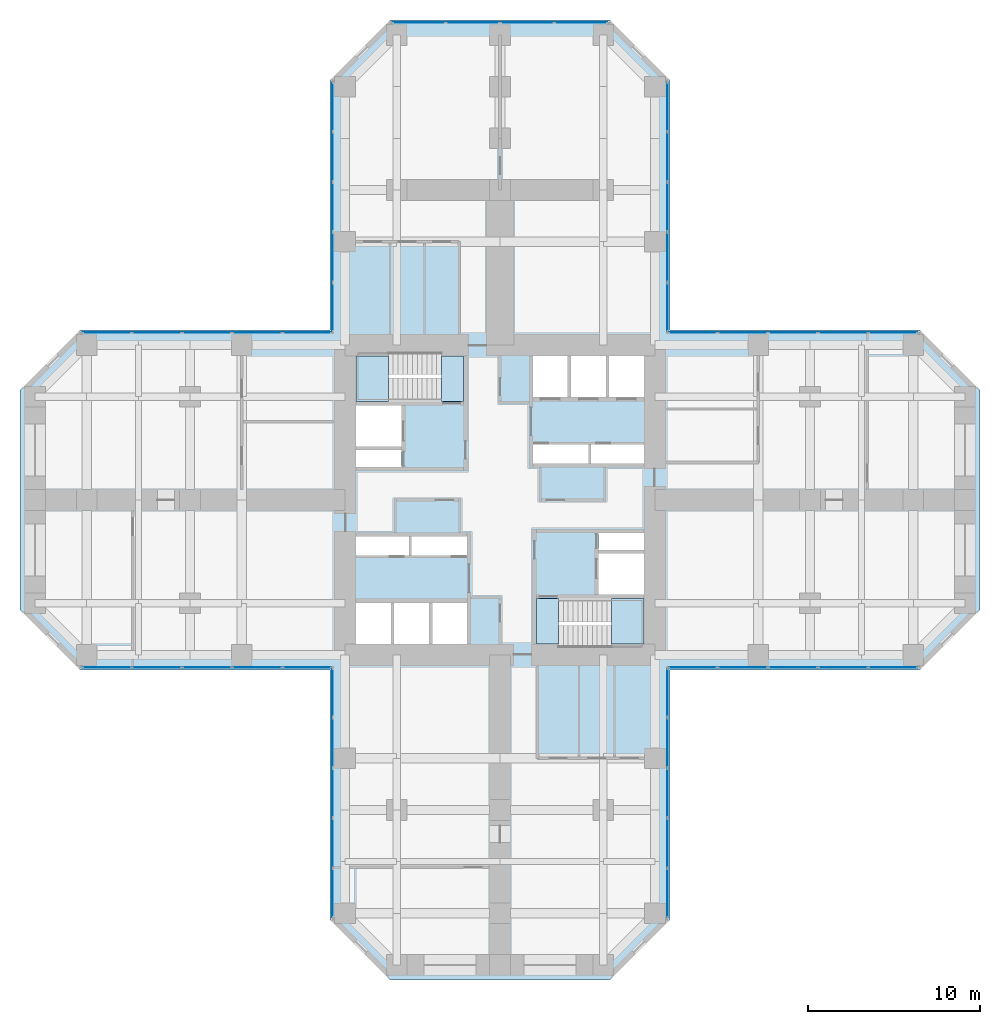
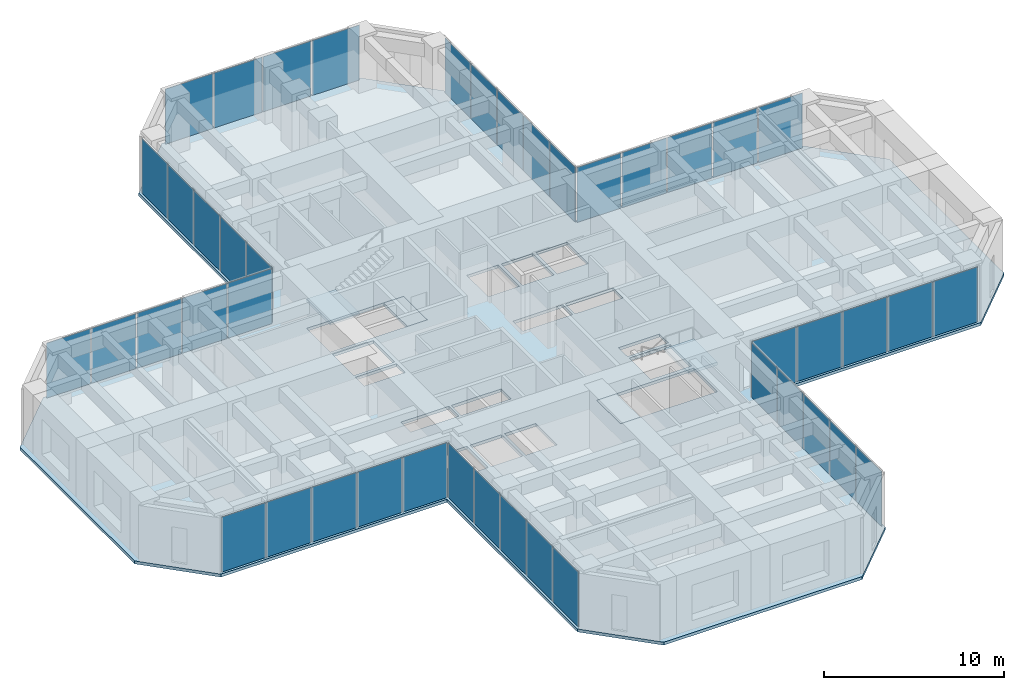
# One storey, part 7 of 12: 44 plates, 5 slabs, 11 elements without a shape of their own.
"""IFC4 building model written with IfcOpenShell, lengths in metres."""

from ifc_helpers import new_model, si_unit, direction, frame, origin, origin_2d, place, context, subcontext, project, spatial, polyline, rectangle, outline, extrude, material, layer, layer_set, type_object, element, aggregate, save


model = new_model("IFC4")

# Units and contexts
model_context = context("Model", 3, precision=1e-05, world=origin(), true_north=direction((0.0, 1.0)))
body_context = subcontext(model_context, "Body", "Model", "MODEL_VIEW")
ifc_project = project(units=[si_unit("LENGTHUNIT", "METRE"), si_unit("AREAUNIT", "SQUARE_METRE"), si_unit("VOLUMEUNIT", "CUBIC_METRE"), si_unit("PLANEANGLEUNIT", "RADIAN"), si_unit("MASSUNIT", "GRAM", prefix="KILO")], contexts=[model_context])

# Site, building, storey
site_placement = place(None, origin())
site = spatial("IfcSite", under=ifc_project, at=site_placement, CompositionType="ELEMENT")
building_placement = place(site_placement, origin())
building = spatial("IfcBuilding", under=site, at=building_placement, Name="Torre Cruceta", CompositionType="ELEMENT")
storey_placement = place(building_placement, frame((0.0, 0.0, 63.5)))
storey = spatial("IfcBuildingStorey", under=building, at=storey_placement, Name="L15", CompositionType="ELEMENT", Elevation=63.5)

# Curtain wall, plate
ifc_material_1 = material(Name="Aluminium unitised curtain wall", Category="aluminium")
curtain_wall_type = type_object("IfcCurtainWallType", Name="CURTAIN WALL CW-A OFFICE LOW RISE", PredefinedType="USERDEFINED", material=ifc_material_1)
curtain_wall_1_placement = place(storey_placement, origin())
curtain_wall_1 = element("IfcCurtainWall", 1, at=curtain_wall_1_placement, inside=storey, type_object=curtain_wall_type, Name="CW-A L15 E side 00", ObjectType="UNITISED", PredefinedType="USERDEFINED")
ifc_material_2 = material(Name="Laminated insulating glass unit, diagonal frit 50 %", Category="glass")
ifc_material_3 = material(Name="Laminated insulating glass unit, diagonal frit 50 %", Category="glass")
ifc_layer_1 = layer(ifc_material_3, 0.033935546875)
ifc_layer_set_1 = layer_set([ifc_layer_1], Name="Laminated insulating glass unit, diagonal frit 50 %")
plate_type_1 = type_object("IfcPlateType", Name="CW-A OPERABLE VENT PANEL 34", PredefinedType="CURTAIN_PANEL", material=ifc_layer_set_1)
plate_1_placement = place(storey_placement, frame((17.009033203125, -9.719970703125, 0.010009765625), z_axis=(0.0, 0.0, 1.0), x_axis=(1.0, 0.0, 0.0)))
plate_1 = element("IfcPlate", 2, at=plate_1_placement, type_object=plate_type_1, material=ifc_material_2, Name="CW-A vent 3", PredefinedType="CURTAIN_PANEL", context=body_context, shape_type="SweptSolid", body=[
    extrude(rectangle(XDim=2.8505859375, YDim=0.033935546875, at=origin_2d()), origin(), (0.0, 0.0, 1.0), 3.72509765625),
])

curtain_wall_2_placement = place(storey_placement, origin())
curtain_wall_2 = element("IfcCurtainWall", 3, at=curtain_wall_2_placement, inside=storey, type_object=curtain_wall_type, Name="CW-A L15 E side 04", ObjectType="UNITISED", PredefinedType="USERDEFINED")
plate_2_placement = place(storey_placement, frame((17.009033203125, 9.719970703125, 0.010009765625), z_axis=(0.0, 0.0, 1.0), x_axis=(-1.0, 0.0, 0.0)))
plate_2 = element("IfcPlate", 4, at=plate_2_placement, type_object=plate_type_1, material=ifc_material_2, Name="CW-A vent 3", PredefinedType="CURTAIN_PANEL", context=body_context, shape_type="SweptSolid", body=[
    extrude(rectangle(XDim=2.8505859375, YDim=0.033935546875, at=origin_2d()), origin(), (0.0, 0.0, 1.0), 3.72509765625),
])

curtain_wall_3_placement = place(storey_placement, origin())
curtain_wall_3 = element("IfcCurtainWall", 5, at=curtain_wall_3_placement, inside=storey, type_object=curtain_wall_type, Name="CW-A L15 N side 05", ObjectType="UNITISED", PredefinedType="USERDEFINED")
plate_3_placement = place(storey_placement, frame((9.719970703125, 17.009033203125, 0.010009765625), z_axis=(0.0, 0.0, 1.0), x_axis=(0.0, 1.0, 0.0)))
plate_3 = element("IfcPlate", 6, at=plate_3_placement, type_object=plate_type_1, material=ifc_material_2, Name="CW-A vent 3", PredefinedType="CURTAIN_PANEL", context=body_context, shape_type="SweptSolid", body=[
    extrude(rectangle(XDim=2.8505859375, YDim=0.033935546875, at=origin_2d()), origin(), (0.0, 0.0, 1.0), 3.72509765625),
])

curtain_wall_4_placement = place(storey_placement, origin())
curtain_wall_4 = element("IfcCurtainWall", 7, at=curtain_wall_4_placement, inside=storey, type_object=curtain_wall_type, Name="CW-A L15 N tip 07", ObjectType="UNITISED", PredefinedType="USERDEFINED")
plate_4_placement = place(storey_placement, frame((-1.574462890625, 27.719970703125, 0.010009765625), z_axis=(0.0, 0.0, 1.0), x_axis=(-1.0, 0.0, 0.0)))
plate_4 = element("IfcPlate", 8, at=plate_4_placement, type_object=plate_type_1, material=ifc_material_2, Name="CW-A vent 3", PredefinedType="CURTAIN_PANEL", context=body_context, shape_type="SweptSolid", body=[
    extrude(rectangle(XDim=3.084228515625, YDim=0.033935546875, at=origin_2d()), origin(), (0.0, 0.0, 1.0), 3.72509765625),
])

curtain_wall_5_placement = place(storey_placement, origin())
curtain_wall_5 = element("IfcCurtainWall", 9, at=curtain_wall_5_placement, inside=storey, type_object=curtain_wall_type, Name="CW-A L15 N side 09", ObjectType="UNITISED", PredefinedType="USERDEFINED")
plate_5_placement = place(storey_placement, frame((-9.719970703125, 17.009033203125, 0.010009765625), z_axis=(0.0, 0.0, 1.0), x_axis=(0.0, -1.0, 0.0)))
plate_5 = element("IfcPlate", 10, at=plate_5_placement, type_object=plate_type_1, material=ifc_material_2, Name="CW-A vent 3", PredefinedType="CURTAIN_PANEL", context=body_context, shape_type="SweptSolid", body=[
    extrude(rectangle(XDim=2.8505859375, YDim=0.033935546875, at=origin_2d()), origin(), (0.0, 0.0, 1.0), 3.72509765625),
])

curtain_wall_6_placement = place(storey_placement, origin())
curtain_wall_6 = element("IfcCurtainWall", 11, at=curtain_wall_6_placement, inside=storey, type_object=curtain_wall_type, Name="CW-A L15 W side 10", ObjectType="UNITISED", PredefinedType="USERDEFINED")
plate_6_placement = place(storey_placement, frame((-17.009033203125, 9.719970703125, 0.010009765625), z_axis=(0.0, 0.0, 1.0), x_axis=(-1.0, 0.0, 0.0)))
plate_6 = element("IfcPlate", 12, at=plate_6_placement, type_object=plate_type_1, material=ifc_material_2, Name="CW-A vent 3", PredefinedType="CURTAIN_PANEL", context=body_context, shape_type="SweptSolid", body=[
    extrude(rectangle(XDim=2.8505859375, YDim=0.033935546875, at=origin_2d()), origin(), (0.0, 0.0, 1.0), 3.72509765625),
])

curtain_wall_7_placement = place(storey_placement, origin())
curtain_wall_7 = element("IfcCurtainWall", 13, at=curtain_wall_7_placement, inside=storey, type_object=curtain_wall_type, Name="CW-A L15 W side 14", ObjectType="UNITISED", PredefinedType="USERDEFINED")
plate_7_placement = place(storey_placement, frame((-17.009033203125, -9.719970703125, 0.010009765625), z_axis=(0.0, 0.0, 1.0), x_axis=(1.0, 0.0, 0.0)))
plate_7 = element("IfcPlate", 14, at=plate_7_placement, type_object=plate_type_1, material=ifc_material_2, Name="CW-A vent 3", PredefinedType="CURTAIN_PANEL", context=body_context, shape_type="SweptSolid", body=[
    extrude(rectangle(XDim=2.8505859375, YDim=0.033935546875, at=origin_2d()), origin(), (0.0, 0.0, 1.0), 3.72509765625),
])

curtain_wall_8_placement = place(storey_placement, origin())
curtain_wall_8 = element("IfcCurtainWall", 15, at=curtain_wall_8_placement, inside=storey, type_object=curtain_wall_type, Name="CW-A L15 S side 15", ObjectType="UNITISED", PredefinedType="USERDEFINED")
plate_8_placement = place(storey_placement, frame((-9.719970703125, -17.009033203125, 0.010009765625), z_axis=(0.0, 0.0, 1.0), x_axis=(0.0, -1.0, 0.0)))
plate_8 = element("IfcPlate", 16, at=plate_8_placement, type_object=plate_type_1, material=ifc_material_2, Name="CW-A vent 3", PredefinedType="CURTAIN_PANEL", context=body_context, shape_type="SweptSolid", body=[
    extrude(rectangle(XDim=2.8505859375, YDim=0.033935546875, at=origin_2d()), origin(), (0.0, 0.0, 1.0), 3.72509765625),
])

curtain_wall_9_placement = place(storey_placement, origin())
curtain_wall_9 = element("IfcCurtainWall", 17, at=curtain_wall_9_placement, inside=storey, type_object=curtain_wall_type, Name="CW-A L15 S side 19", ObjectType="UNITISED", PredefinedType="USERDEFINED")
plate_9_placement = place(storey_placement, frame((9.719970703125, -17.009033203125, 0.010009765625), z_axis=(0.0, 0.0, 1.0), x_axis=(0.0, 1.0, 0.0)))
plate_9 = element("IfcPlate", 18, at=plate_9_placement, type_object=plate_type_1, material=ifc_material_2, Name="CW-A vent 3", PredefinedType="CURTAIN_PANEL", context=body_context, shape_type="SweptSolid", body=[
    extrude(rectangle(XDim=2.8505859375, YDim=0.033935546875, at=origin_2d()), origin(), (0.0, 0.0, 1.0), 3.72509765625),
])

# Plate
ifc_material_4 = material(Name="Laminated insulating glass unit, diagonal frit 50 %", Category="glass")
ifc_layer_2 = layer(ifc_material_4, 0.033935546875)
ifc_layer_set_2 = layer_set([ifc_layer_2], Name="Laminated insulating glass unit, diagonal frit 50 %")
plate_type_2 = type_object("IfcPlateType", Name="CW-A PANEL 34", PredefinedType="CURTAIN_PANEL", material=ifc_layer_set_2)
plate_10_placement = place(storey_placement, frame((11.194091796875, -9.719970703125, 0.010009765625), z_axis=(0.0, 0.0, 1.0), x_axis=(1.0, 0.0, 0.0)))
plate_10 = element("IfcPlate", 19, at=plate_10_placement, type_object=plate_type_2, material=ifc_material_2, Name="CW-A panel 1", PredefinedType="CURTAIN_PANEL", context=body_context, shape_type="SweptSolid", body=[
    extrude(rectangle(XDim=2.818115234375, YDim=0.033935546875, at=origin_2d()), origin(), (0.0, 0.0, 1.0), 3.72509765625),
])

plate_11_placement = place(storey_placement, frame((14.093505859375, -9.719970703125, 0.010009765625), z_axis=(0.0, 0.0, 1.0), x_axis=(1.0, 0.0, 0.0)))
plate_11 = element("IfcPlate", 20, at=plate_11_placement, type_object=plate_type_2, material=ifc_material_2, Name="CW-A panel 2", PredefinedType="CURTAIN_PANEL", context=body_context, shape_type="SweptSolid", body=[
    extrude(rectangle(XDim=2.8505859375, YDim=0.033935546875, at=origin_2d()), origin(), (0.0, 0.0, 1.0), 3.72509765625),
])

ifc_material_5 = material(Name="Laminated insulating glass unit, low-iron clear", Category="glass")
plate_12_placement = place(storey_placement, frame((19.9248046875, -9.719970703125, 0.010009765625), z_axis=(0.0, 0.0, 1.0), x_axis=(1.0, 0.0, 0.0)))
plate_12 = element("IfcPlate", 21, at=plate_12_placement, type_object=plate_type_2, material=ifc_material_5, Name="CW-A panel 4", PredefinedType="CURTAIN_PANEL", context=body_context, shape_type="SweptSolid", body=[
    extrude(rectangle(XDim=2.8505859375, YDim=0.033935546875, at=origin_2d()), origin(), (0.0, 0.0, 1.0), 3.72509765625),
])

plate_13_placement = place(storey_placement, frame((22.82421875, -9.719970703125, 0.010009765625), z_axis=(0.0, 0.0, 1.0), x_axis=(1.0, 0.0, 0.0)))
plate_13 = element("IfcPlate", 22, at=plate_13_placement, type_object=plate_type_2, material=ifc_material_5, Name="CW-A panel 5", PredefinedType="CURTAIN_PANEL", context=body_context, shape_type="SweptSolid", body=[
    extrude(rectangle(XDim=2.818115234375, YDim=0.033935546875, at=origin_2d()), origin(), (0.0, 0.0, 1.0), 3.72509765625),
])

aggregate(curtain_wall_1, [plate_10, plate_11, plate_1, plate_12, plate_13])

plate_14_placement = place(storey_placement, frame((22.82421875, 9.719970703125, 0.010009765625), z_axis=(0.0, 0.0, 1.0), x_axis=(-1.0, 0.0, 0.0)))
plate_14 = element("IfcPlate", 23, at=plate_14_placement, type_object=plate_type_2, material=ifc_material_2, Name="CW-A panel 1", PredefinedType="CURTAIN_PANEL", context=body_context, shape_type="SweptSolid", body=[
    extrude(rectangle(XDim=2.818115234375, YDim=0.033935546875, at=origin_2d()), origin(), (0.0, 0.0, 1.0), 3.72509765625),
])

plate_15_placement = place(storey_placement, frame((19.9248046875, 9.719970703125, 0.010009765625), z_axis=(0.0, 0.0, 1.0), x_axis=(-1.0, 0.0, 0.0)))
plate_15 = element("IfcPlate", 24, at=plate_15_placement, type_object=plate_type_2, material=ifc_material_2, Name="CW-A panel 2", PredefinedType="CURTAIN_PANEL", context=body_context, shape_type="SweptSolid", body=[
    extrude(rectangle(XDim=2.8505859375, YDim=0.033935546875, at=origin_2d()), origin(), (0.0, 0.0, 1.0), 3.72509765625),
])

plate_16_placement = place(storey_placement, frame((14.093505859375, 9.719970703125, 0.010009765625), z_axis=(0.0, 0.0, 1.0), x_axis=(-1.0, 0.0, 0.0)))
plate_16 = element("IfcPlate", 25, at=plate_16_placement, type_object=plate_type_2, material=ifc_material_5, Name="CW-A panel 4", PredefinedType="CURTAIN_PANEL", context=body_context, shape_type="SweptSolid", body=[
    extrude(rectangle(XDim=2.8505859375, YDim=0.033935546875, at=origin_2d()), origin(), (0.0, 0.0, 1.0), 3.72509765625),
])

plate_17_placement = place(storey_placement, frame((11.194091796875, 9.719970703125, 0.010009765625), z_axis=(0.0, 0.0, 1.0), x_axis=(-1.0, 0.0, 0.0)))
plate_17 = element("IfcPlate", 26, at=plate_17_placement, type_object=plate_type_2, material=ifc_material_5, Name="CW-A panel 5", PredefinedType="CURTAIN_PANEL", context=body_context, shape_type="SweptSolid", body=[
    extrude(rectangle(XDim=2.818115234375, YDim=0.033935546875, at=origin_2d()), origin(), (0.0, 0.0, 1.0), 3.72509765625),
])

aggregate(curtain_wall_2, [plate_14, plate_15, plate_2, plate_16, plate_17])

plate_18_placement = place(storey_placement, frame((9.719970703125, 11.194091796875, 0.010009765625), z_axis=(0.0, 0.0, 1.0), x_axis=(0.0, 1.0, 0.0)))
plate_18 = element("IfcPlate", 27, at=plate_18_placement, type_object=plate_type_2, material=ifc_material_2, Name="CW-A panel 1", PredefinedType="CURTAIN_PANEL", context=body_context, shape_type="SweptSolid", body=[
    extrude(rectangle(XDim=2.818115234375, YDim=0.033935546875, at=origin_2d()), origin(), (0.0, 0.0, 1.0), 3.72509765625),
])

plate_19_placement = place(storey_placement, frame((9.719970703125, 14.093505859375, 0.010009765625), z_axis=(0.0, 0.0, 1.0), x_axis=(0.0, 1.0, 0.0)))
plate_19 = element("IfcPlate", 28, at=plate_19_placement, type_object=plate_type_2, material=ifc_material_2, Name="CW-A panel 2", PredefinedType="CURTAIN_PANEL", context=body_context, shape_type="SweptSolid", body=[
    extrude(rectangle(XDim=2.8505859375, YDim=0.033935546875, at=origin_2d()), origin(), (0.0, 0.0, 1.0), 3.72509765625),
])

plate_20_placement = place(storey_placement, frame((9.719970703125, 19.9248046875, 0.010009765625), z_axis=(0.0, 0.0, 1.0), x_axis=(0.0, 1.0, 0.0)))
plate_20 = element("IfcPlate", 29, at=plate_20_placement, type_object=plate_type_2, material=ifc_material_5, Name="CW-A panel 4", PredefinedType="CURTAIN_PANEL", context=body_context, shape_type="SweptSolid", body=[
    extrude(rectangle(XDim=2.8505859375, YDim=0.033935546875, at=origin_2d()), origin(), (0.0, 0.0, 1.0), 3.72509765625),
])

plate_21_placement = place(storey_placement, frame((9.719970703125, 22.82421875, 0.010009765625), z_axis=(0.0, 0.0, 1.0), x_axis=(0.0, 1.0, 0.0)))
plate_21 = element("IfcPlate", 30, at=plate_21_placement, type_object=plate_type_2, material=ifc_material_5, Name="CW-A panel 5", PredefinedType="CURTAIN_PANEL", context=body_context, shape_type="SweptSolid", body=[
    extrude(rectangle(XDim=2.818115234375, YDim=0.033935546875, at=origin_2d()), origin(), (0.0, 0.0, 1.0), 3.72509765625),
])

aggregate(curtain_wall_3, [plate_18, plate_19, plate_3, plate_20, plate_21])

plate_22_placement = place(storey_placement, frame((4.70751953125, 27.719970703125, 0.010009765625), z_axis=(0.0, 0.0, 1.0), x_axis=(-1.0, 0.0, 0.0)))
plate_22 = element("IfcPlate", 31, at=plate_22_placement, type_object=plate_type_2, material=ifc_material_2, Name="CW-A panel 1", PredefinedType="CURTAIN_PANEL", context=body_context, shape_type="SweptSolid", body=[
    extrude(rectangle(XDim=3.051513671875, YDim=0.033935546875, at=origin_2d()), origin(), (0.0, 0.0, 1.0), 3.72509765625),
])

plate_23_placement = place(storey_placement, frame((1.574462890625, 27.719970703125, 0.010009765625), z_axis=(0.0, 0.0, 1.0), x_axis=(-1.0, 0.0, 0.0)))
plate_23 = element("IfcPlate", 32, at=plate_23_placement, type_object=plate_type_2, material=ifc_material_2, Name="CW-A panel 2", PredefinedType="CURTAIN_PANEL", context=body_context, shape_type="SweptSolid", body=[
    extrude(rectangle(XDim=3.084228515625, YDim=0.033935546875, at=origin_2d()), origin(), (0.0, 0.0, 1.0), 3.72509765625),
])

plate_24_placement = place(storey_placement, frame((-4.70751953125, 27.719970703125, 0.010009765625), z_axis=(0.0, 0.0, 1.0), x_axis=(-1.0, 0.0, 0.0)))
plate_24 = element("IfcPlate", 33, at=plate_24_placement, type_object=plate_type_2, material=ifc_material_5, Name="CW-A panel 4", PredefinedType="CURTAIN_PANEL", context=body_context, shape_type="SweptSolid", body=[
    extrude(rectangle(XDim=3.051513671875, YDim=0.033935546875, at=origin_2d()), origin(), (0.0, 0.0, 1.0), 3.72509765625),
])

aggregate(curtain_wall_4, [plate_22, plate_23, plate_4, plate_24])

plate_25_placement = place(storey_placement, frame((-9.719970703125, 22.82421875, 0.010009765625), z_axis=(0.0, 0.0, 1.0), x_axis=(0.0, -1.0, 0.0)))
plate_25 = element("IfcPlate", 34, at=plate_25_placement, type_object=plate_type_2, material=ifc_material_2, Name="CW-A panel 1", PredefinedType="CURTAIN_PANEL", context=body_context, shape_type="SweptSolid", body=[
    extrude(rectangle(XDim=2.818115234375, YDim=0.033935546875, at=origin_2d()), origin(), (0.0, 0.0, 1.0), 3.72509765625),
])

plate_26_placement = place(storey_placement, frame((-9.719970703125, 19.9248046875, 0.010009765625), z_axis=(0.0, 0.0, 1.0), x_axis=(0.0, -1.0, 0.0)))
plate_26 = element("IfcPlate", 35, at=plate_26_placement, type_object=plate_type_2, material=ifc_material_2, Name="CW-A panel 2", PredefinedType="CURTAIN_PANEL", context=body_context, shape_type="SweptSolid", body=[
    extrude(rectangle(XDim=2.8505859375, YDim=0.033935546875, at=origin_2d()), origin(), (0.0, 0.0, 1.0), 3.72509765625),
])

plate_27_placement = place(storey_placement, frame((-9.719970703125, 14.093505859375, 0.010009765625), z_axis=(0.0, 0.0, 1.0), x_axis=(0.0, -1.0, 0.0)))
plate_27 = element("IfcPlate", 36, at=plate_27_placement, type_object=plate_type_2, material=ifc_material_5, Name="CW-A panel 4", PredefinedType="CURTAIN_PANEL", context=body_context, shape_type="SweptSolid", body=[
    extrude(rectangle(XDim=2.8505859375, YDim=0.033935546875, at=origin_2d()), origin(), (0.0, 0.0, 1.0), 3.72509765625),
])

plate_28_placement = place(storey_placement, frame((-9.719970703125, 11.194091796875, 0.010009765625), z_axis=(0.0, 0.0, 1.0), x_axis=(0.0, -1.0, 0.0)))
plate_28 = element("IfcPlate", 37, at=plate_28_placement, type_object=plate_type_2, material=ifc_material_5, Name="CW-A panel 5", PredefinedType="CURTAIN_PANEL", context=body_context, shape_type="SweptSolid", body=[
    extrude(rectangle(XDim=2.818115234375, YDim=0.033935546875, at=origin_2d()), origin(), (0.0, 0.0, 1.0), 3.72509765625),
])

aggregate(curtain_wall_5, [plate_25, plate_26, plate_5, plate_27, plate_28])

plate_29_placement = place(storey_placement, frame((-11.194091796875, 9.719970703125, 0.010009765625), z_axis=(0.0, 0.0, 1.0), x_axis=(-1.0, 0.0, 0.0)))
plate_29 = element("IfcPlate", 38, at=plate_29_placement, type_object=plate_type_2, material=ifc_material_2, Name="CW-A panel 1", PredefinedType="CURTAIN_PANEL", context=body_context, shape_type="SweptSolid", body=[
    extrude(rectangle(XDim=2.818115234375, YDim=0.033935546875, at=origin_2d()), origin(), (0.0, 0.0, 1.0), 3.72509765625),
])

plate_30_placement = place(storey_placement, frame((-14.093505859375, 9.719970703125, 0.010009765625), z_axis=(0.0, 0.0, 1.0), x_axis=(-1.0, 0.0, 0.0)))
plate_30 = element("IfcPlate", 39, at=plate_30_placement, type_object=plate_type_2, material=ifc_material_2, Name="CW-A panel 2", PredefinedType="CURTAIN_PANEL", context=body_context, shape_type="SweptSolid", body=[
    extrude(rectangle(XDim=2.8505859375, YDim=0.033935546875, at=origin_2d()), origin(), (0.0, 0.0, 1.0), 3.72509765625),
])

plate_31_placement = place(storey_placement, frame((-19.9248046875, 9.719970703125, 0.010009765625), z_axis=(0.0, 0.0, 1.0), x_axis=(-1.0, 0.0, 0.0)))
plate_31 = element("IfcPlate", 40, at=plate_31_placement, type_object=plate_type_2, material=ifc_material_5, Name="CW-A panel 4", PredefinedType="CURTAIN_PANEL", context=body_context, shape_type="SweptSolid", body=[
    extrude(rectangle(XDim=2.8505859375, YDim=0.033935546875, at=origin_2d()), origin(), (0.0, 0.0, 1.0), 3.72509765625),
])

plate_32_placement = place(storey_placement, frame((-22.82421875, 9.719970703125, 0.010009765625), z_axis=(0.0, 0.0, 1.0), x_axis=(-1.0, 0.0, 0.0)))
plate_32 = element("IfcPlate", 41, at=plate_32_placement, type_object=plate_type_2, material=ifc_material_5, Name="CW-A panel 5", PredefinedType="CURTAIN_PANEL", context=body_context, shape_type="SweptSolid", body=[
    extrude(rectangle(XDim=2.818115234375, YDim=0.033935546875, at=origin_2d()), origin(), (0.0, 0.0, 1.0), 3.72509765625),
])

aggregate(curtain_wall_6, [plate_29, plate_30, plate_6, plate_31, plate_32])

plate_33_placement = place(storey_placement, frame((-22.82421875, -9.719970703125, 0.010009765625), z_axis=(0.0, 0.0, 1.0), x_axis=(1.0, 0.0, 0.0)))
plate_33 = element("IfcPlate", 42, at=plate_33_placement, type_object=plate_type_2, material=ifc_material_2, Name="CW-A panel 1", PredefinedType="CURTAIN_PANEL", context=body_context, shape_type="SweptSolid", body=[
    extrude(rectangle(XDim=2.818115234375, YDim=0.033935546875, at=origin_2d()), origin(), (0.0, 0.0, 1.0), 3.72509765625),
])

plate_34_placement = place(storey_placement, frame((-19.9248046875, -9.719970703125, 0.010009765625), z_axis=(0.0, 0.0, 1.0), x_axis=(1.0, 0.0, 0.0)))
plate_34 = element("IfcPlate", 43, at=plate_34_placement, type_object=plate_type_2, material=ifc_material_2, Name="CW-A panel 2", PredefinedType="CURTAIN_PANEL", context=body_context, shape_type="SweptSolid", body=[
    extrude(rectangle(XDim=2.8505859375, YDim=0.033935546875, at=origin_2d()), origin(), (0.0, 0.0, 1.0), 3.72509765625),
])

plate_35_placement = place(storey_placement, frame((-14.093505859375, -9.719970703125, 0.010009765625), z_axis=(0.0, 0.0, 1.0), x_axis=(1.0, 0.0, 0.0)))
plate_35 = element("IfcPlate", 44, at=plate_35_placement, type_object=plate_type_2, material=ifc_material_5, Name="CW-A panel 4", PredefinedType="CURTAIN_PANEL", context=body_context, shape_type="SweptSolid", body=[
    extrude(rectangle(XDim=2.8505859375, YDim=0.033935546875, at=origin_2d()), origin(), (0.0, 0.0, 1.0), 3.72509765625),
])

plate_36_placement = place(storey_placement, frame((-11.194091796875, -9.719970703125, 0.010009765625), z_axis=(0.0, 0.0, 1.0), x_axis=(1.0, 0.0, 0.0)))
plate_36 = element("IfcPlate", 45, at=plate_36_placement, type_object=plate_type_2, material=ifc_material_5, Name="CW-A panel 5", PredefinedType="CURTAIN_PANEL", context=body_context, shape_type="SweptSolid", body=[
    extrude(rectangle(XDim=2.818115234375, YDim=0.033935546875, at=origin_2d()), origin(), (0.0, 0.0, 1.0), 3.72509765625),
])

aggregate(curtain_wall_7, [plate_33, plate_34, plate_7, plate_35, plate_36])

plate_37_placement = place(storey_placement, frame((-9.719970703125, -11.194091796875, 0.010009765625), z_axis=(0.0, 0.0, 1.0), x_axis=(0.0, -1.0, 0.0)))
plate_37 = element("IfcPlate", 46, at=plate_37_placement, type_object=plate_type_2, material=ifc_material_2, Name="CW-A panel 1", PredefinedType="CURTAIN_PANEL", context=body_context, shape_type="SweptSolid", body=[
    extrude(rectangle(XDim=2.818115234375, YDim=0.033935546875, at=origin_2d()), origin(), (0.0, 0.0, 1.0), 3.72509765625),
])

plate_38_placement = place(storey_placement, frame((-9.719970703125, -14.093505859375, 0.010009765625), z_axis=(0.0, 0.0, 1.0), x_axis=(0.0, -1.0, 0.0)))
plate_38 = element("IfcPlate", 47, at=plate_38_placement, type_object=plate_type_2, material=ifc_material_2, Name="CW-A panel 2", PredefinedType="CURTAIN_PANEL", context=body_context, shape_type="SweptSolid", body=[
    extrude(rectangle(XDim=2.8505859375, YDim=0.033935546875, at=origin_2d()), origin(), (0.0, 0.0, 1.0), 3.72509765625),
])

plate_39_placement = place(storey_placement, frame((-9.719970703125, -19.9248046875, 0.010009765625), z_axis=(0.0, 0.0, 1.0), x_axis=(0.0, -1.0, 0.0)))
plate_39 = element("IfcPlate", 48, at=plate_39_placement, type_object=plate_type_2, material=ifc_material_5, Name="CW-A panel 4", PredefinedType="CURTAIN_PANEL", context=body_context, shape_type="SweptSolid", body=[
    extrude(rectangle(XDim=2.8505859375, YDim=0.033935546875, at=origin_2d()), origin(), (0.0, 0.0, 1.0), 3.72509765625),
])

plate_40_placement = place(storey_placement, frame((-9.719970703125, -22.82421875, 0.010009765625), z_axis=(0.0, 0.0, 1.0), x_axis=(0.0, -1.0, 0.0)))
plate_40 = element("IfcPlate", 49, at=plate_40_placement, type_object=plate_type_2, material=ifc_material_5, Name="CW-A panel 5", PredefinedType="CURTAIN_PANEL", context=body_context, shape_type="SweptSolid", body=[
    extrude(rectangle(XDim=2.818115234375, YDim=0.033935546875, at=origin_2d()), origin(), (0.0, 0.0, 1.0), 3.72509765625),
])

aggregate(curtain_wall_8, [plate_37, plate_38, plate_8, plate_39, plate_40])

plate_41_placement = place(storey_placement, frame((9.719970703125, -22.82421875, 0.010009765625), z_axis=(0.0, 0.0, 1.0), x_axis=(0.0, 1.0, 0.0)))
plate_41 = element("IfcPlate", 50, at=plate_41_placement, type_object=plate_type_2, material=ifc_material_2, Name="CW-A panel 1", PredefinedType="CURTAIN_PANEL", context=body_context, shape_type="SweptSolid", body=[
    extrude(rectangle(XDim=2.818115234375, YDim=0.033935546875, at=origin_2d()), origin(), (0.0, 0.0, 1.0), 3.72509765625),
])

plate_42_placement = place(storey_placement, frame((9.719970703125, -19.9248046875, 0.010009765625), z_axis=(0.0, 0.0, 1.0), x_axis=(0.0, 1.0, 0.0)))
plate_42 = element("IfcPlate", 51, at=plate_42_placement, type_object=plate_type_2, material=ifc_material_2, Name="CW-A panel 2", PredefinedType="CURTAIN_PANEL", context=body_context, shape_type="SweptSolid", body=[
    extrude(rectangle(XDim=2.8505859375, YDim=0.033935546875, at=origin_2d()), origin(), (0.0, 0.0, 1.0), 3.72509765625),
])

plate_43_placement = place(storey_placement, frame((9.719970703125, -14.093505859375, 0.010009765625), z_axis=(0.0, 0.0, 1.0), x_axis=(0.0, 1.0, 0.0)))
plate_43 = element("IfcPlate", 52, at=plate_43_placement, type_object=plate_type_2, material=ifc_material_5, Name="CW-A panel 4", PredefinedType="CURTAIN_PANEL", context=body_context, shape_type="SweptSolid", body=[
    extrude(rectangle(XDim=2.8505859375, YDim=0.033935546875, at=origin_2d()), origin(), (0.0, 0.0, 1.0), 3.72509765625),
])

plate_44_placement = place(storey_placement, frame((9.719970703125, -11.194091796875, 0.010009765625), z_axis=(0.0, 0.0, 1.0), x_axis=(0.0, 1.0, 0.0)))
plate_44 = element("IfcPlate", 53, at=plate_44_placement, type_object=plate_type_2, material=ifc_material_5, Name="CW-A panel 5", PredefinedType="CURTAIN_PANEL", context=body_context, shape_type="SweptSolid", body=[
    extrude(rectangle(XDim=2.818115234375, YDim=0.033935546875, at=origin_2d()), origin(), (0.0, 0.0, 1.0), 3.72509765625),
])

aggregate(curtain_wall_9, [plate_41, plate_42, plate_9, plate_43, plate_44])

# Slab
ifc_material_6 = material(Name="Concrete G35 (fck 35 MPa)", Category="concrete")
ifc_layer_3 = layer(ifc_material_6, 0.199951171875)
ifc_layer_set_3 = layer_set([ifc_layer_3], Name="Concrete G35 (fck 35 MPa)")
slab_type_1 = type_object("IfcSlabType", Name="FLOOR SLAB 200", PredefinedType="FLOOR", material=ifc_layer_set_3)
slab_1_placement = place(storey_placement, frame((0.0, 0.0, -0.199951171875)))
element("IfcSlab", 54, at=slab_1_placement, inside=storey, type_object=slab_type_1, Name="Floor Slab L15", PredefinedType="FLOOR", context=body_context, shape_type="SweptSolid", body=[
    extrude(outline(polyline([(9.8701171875, -9.8701171875), (9.8701171875, -24.3603515625), (6.3603515625, -27.8701171875), (-6.3603515625, -27.8701171875), (-9.8701171875, -24.3603515625), (-9.8701171875, -9.8701171875), (-24.3603515625, -9.8701171875), (-27.8701171875, -6.3603515625), (-27.8701171875, 6.3603515625), (-24.3603515625, 9.8701171875), (-9.8701171875, 9.8701171875), (-9.8701171875, 24.3603515625), (-6.3603515625, 27.8701171875), (6.3603515625, 27.8701171875), (9.8701171875, 24.3603515625), (9.8701171875, 9.8701171875), (24.3603515625, 9.8701171875), (27.8701171875, 6.3603515625), (27.8701171875, -6.3603515625), (24.3603515625, -9.8701171875), (9.8701171875, -9.8701171875)]), holes=[polyline([(1.925048828125, 5.97509765625), (3.933349609375, 5.97509765625), (3.933349609375, 8.35009765625), (1.925048828125, 8.35009765625), (1.925048828125, 5.97509765625)]), polyline([(4.13330078125, 5.97509765625), (6.1416015625, 5.97509765625), (6.1416015625, 8.35009765625), (4.13330078125, 8.35009765625), (4.13330078125, 5.97509765625)]), polyline([(6.341552734375, 5.97509765625), (8.35009765625, 5.97509765625), (8.35009765625, 8.35009765625), (6.341552734375, 8.35009765625), (6.341552734375, 5.97509765625)]), polyline([(1.925048828125, 2.125), (5.125, 2.125), (5.125, 3.22509765625), (1.925048828125, 3.22509765625), (1.925048828125, 2.125)]), polyline([(5.27490234375, 2.125), (8.35009765625, 2.125), (8.35009765625, 3.22509765625), (5.27490234375, 3.22509765625), (5.27490234375, 2.125)]), polyline([(-8.35009765625, 3.10009765625), (-5.72509765625, 3.10009765625), (-5.72509765625, 5.47509765625), (-8.35009765625, 5.47509765625), (-8.35009765625, 3.10009765625)]), polyline([(-8.35009765625, 1.925048828125), (-5.72509765625, 1.925048828125), (-5.72509765625, 2.89990234375), (-8.35009765625, 2.89990234375), (-8.35009765625, 1.925048828125)]), polyline([(-3.933349609375, -8.35009765625), (-1.925048828125, -8.35009765625), (-1.925048828125, -5.97509765625), (-3.933349609375, -5.97509765625), (-3.933349609375, -8.35009765625)]), polyline([(-6.1416015625, -8.35009765625), (-4.13330078125, -8.35009765625), (-4.13330078125, -5.97509765625), (-6.1416015625, -5.97509765625), (-6.1416015625, -8.35009765625)]), polyline([(-8.35009765625, -8.35009765625), (-6.341552734375, -8.35009765625), (-6.341552734375, -5.97509765625), (-8.35009765625, -5.97509765625), (-8.35009765625, -8.35009765625)]), polyline([(-5.125, -3.22509765625), (-1.925048828125, -3.22509765625), (-1.925048828125, -2.125), (-5.125, -2.125), (-5.125, -3.22509765625)]), polyline([(-8.35009765625, -3.22509765625), (-5.27490234375, -3.22509765625), (-5.27490234375, -2.125), (-8.35009765625, -2.125), (-8.35009765625, -3.22509765625)]), polyline([(5.72509765625, -5.47509765625), (8.35009765625, -5.47509765625), (8.35009765625, -3.10009765625), (5.72509765625, -3.10009765625), (5.72509765625, -5.47509765625)]), polyline([(5.72509765625, -2.89990234375), (8.35009765625, -2.89990234375), (8.35009765625, -1.925048828125), (5.72509765625, -1.925048828125), (5.72509765625, -2.89990234375)]), polyline([(-8.35009765625, 5.72509765625), (-8.35009765625, 8.35009765625), (-3.39990234375, 8.35009765625), (-2.125, 8.35009765625), (-2.125, 5.72509765625), (-3.39990234375, 5.72509765625), (-8.35009765625, 5.72509765625)]), polyline([(2.125, -5.72509765625), (3.39990234375, -5.72509765625), (8.35009765625, -5.72509765625), (8.35009765625, -8.35009765625), (3.39990234375, -8.35009765625), (2.125, -8.35009765625), (2.125, -5.72509765625)])]), origin(), (0.0, 0.0, 1.0), 0.199951171875),
])

# Stair, slab
ifc_material_7 = material(Name="Concrete G30 (fck 30 MPa)", Category="concrete")
stair_type = type_object("IfcStairType", Name="STAIR HALF-TURN 1300", PredefinedType="HALF_TURN_STAIR", material=ifc_material_7)
stair_1_placement = place(storey_placement, origin())
stair_1 = element("IfcStair", 55, at=stair_1_placement, inside=storey, type_object=stair_type, Name="Stair ST1 L15", PredefinedType="HALF_TURN_STAIR")
ifc_material_8 = material(Name="Concrete G30 (fck 30 MPa)", Category="concrete")
ifc_layer_4 = layer(ifc_material_8, 0.199951171875)
ifc_layer_set_4 = layer_set([ifc_layer_4], Name="Concrete G30 (fck 30 MPa)")
slab_type_2 = type_object("IfcSlabType", Name="STAIR LANDING 200", PredefinedType="LANDING", material=ifc_layer_set_4)
slab_2_placement = place(storey_placement, frame((0.0, 0.0, 1.800048828125)))
slab_2 = element("IfcSlab", 56, at=slab_2_placement, type_object=slab_type_2, Name="ST1 landing 1", PredefinedType="LANDING", context=body_context, shape_type="SweptSolid", body=[
    extrude(outline(polyline([(-8.35009765625, 5.72509765625), (-6.47998046875, 5.72509765625), (-6.47998046875, 8.35009765625), (-8.35009765625, 8.35009765625), (-8.35009765625, 5.72509765625)])), origin(), (0.0, 0.0, 1.0), 0.199951171875),
])
aggregate(stair_1, [slab_2])

stair_2_placement = place(storey_placement, origin())
stair_2 = element("IfcStair", 57, at=stair_2_placement, inside=storey, type_object=stair_type, Name="Stair ST2 L15", PredefinedType="HALF_TURN_STAIR")
slab_3_placement = place(storey_placement, frame((0.0, 0.0, 1.800048828125)))
slab_3 = element("IfcSlab", 58, at=slab_3_placement, type_object=slab_type_2, Name="ST2 landing 1", PredefinedType="LANDING", context=body_context, shape_type="SweptSolid", body=[
    extrude(outline(polyline([(6.47998046875, -8.35009765625), (8.35009765625, -8.35009765625), (8.35009765625, -5.72509765625), (6.47998046875, -5.72509765625), (6.47998046875, -8.35009765625)])), origin(), (0.0, 0.0, 1.0), 0.199951171875),
])
aggregate(stair_2, [slab_3])

# Slabs
slab_4_placement = place(storey_placement, frame((0.0, 0.0, -0.199951171875)))
element("IfcSlab", 59, at=slab_4_placement, inside=storey, type_object=slab_type_2, Name="Stair ST1 floor landing L15", PredefinedType="LANDING", context=body_context, shape_type="SweptSolid", body=[
    extrude(outline(polyline([(-2.125, 8.35009765625), (-2.125, 5.72509765625), (-3.39990234375, 5.72509765625), (-3.39990234375, 8.35009765625), (-2.125, 8.35009765625)])), origin(), (0.0, 0.0, 1.0), 0.199951171875),
])
slab_5_placement = place(storey_placement, frame((0.0, 0.0, -0.199951171875)))
element("IfcSlab", 60, at=slab_5_placement, inside=storey, type_object=slab_type_2, Name="Stair ST2 floor landing L15", PredefinedType="LANDING", context=body_context, shape_type="SweptSolid", body=[
    extrude(outline(polyline([(2.125, -8.35009765625), (2.125, -5.72509765625), (3.39990234375, -5.72509765625), (3.39990234375, -8.35009765625), (2.125, -8.35009765625)])), origin(), (0.0, 0.0, 1.0), 0.199951171875),
])

save(model, "model.ifc")
